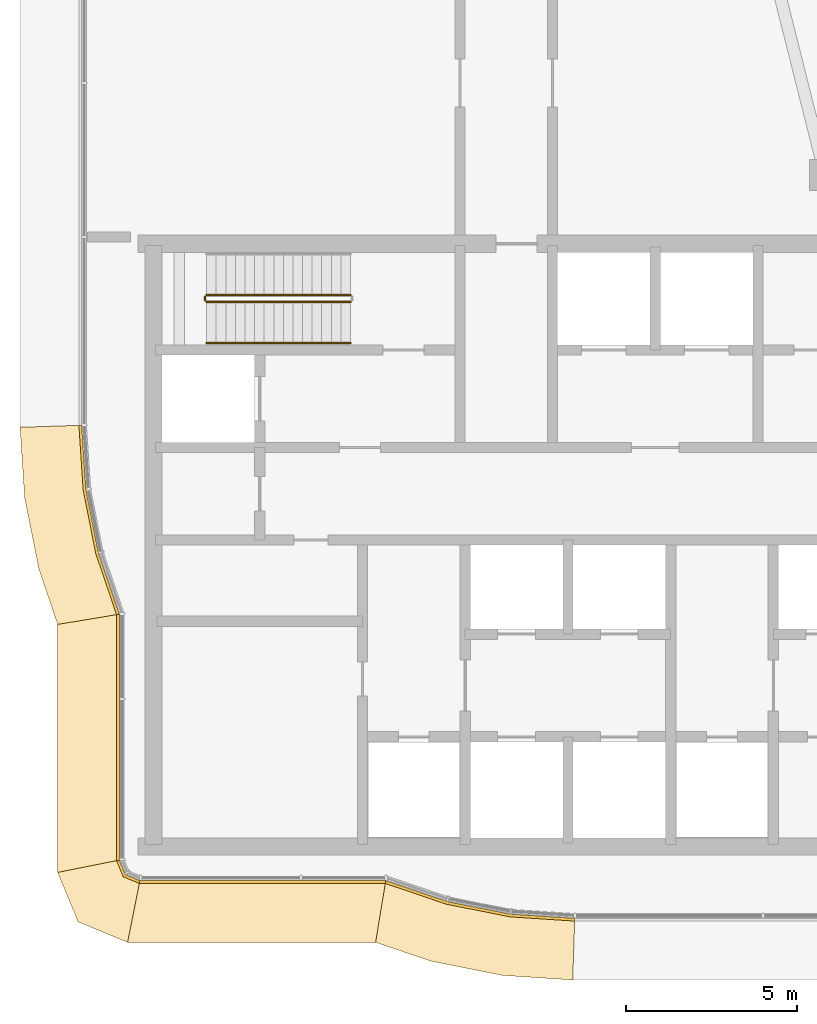
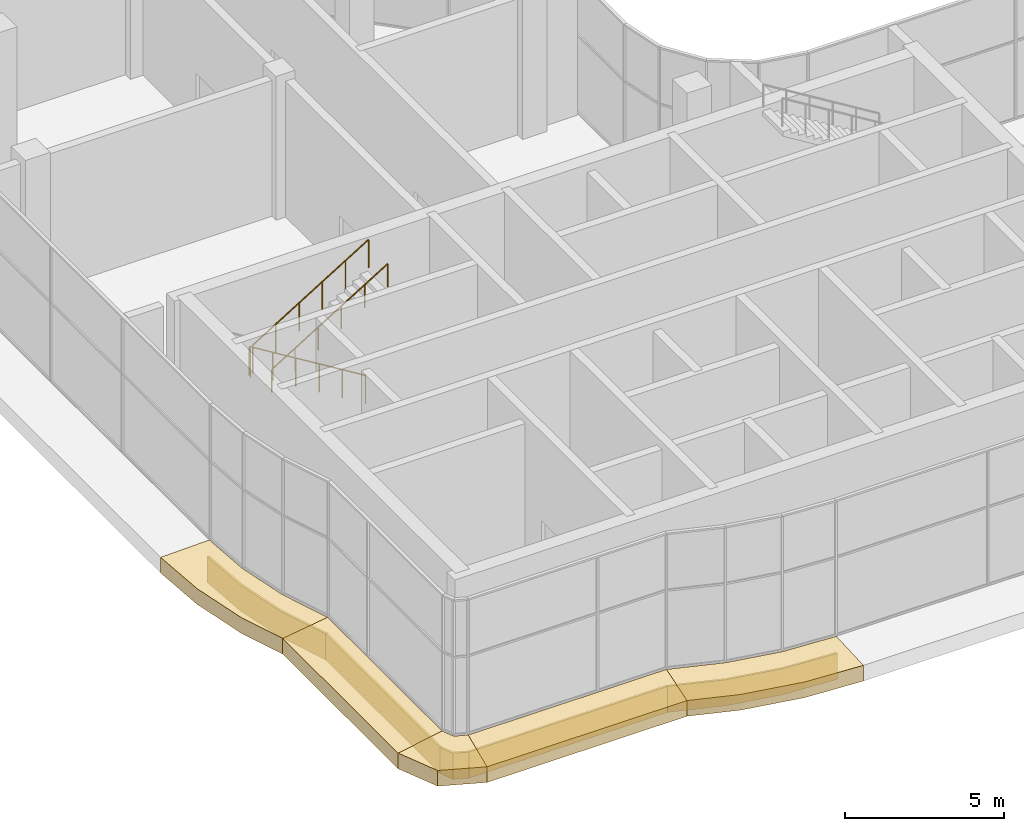
# One storey, part 18 of 23: 10 coverings, 4 railings.
"""IFC4 building model written with IfcOpenShell, lengths in metres."""

from ifc_helpers import new_model, si_unit, direction, frame, origin, origin_2d, place, context, subcontext, project, spatial, polyline, circle, outline, extrude, material, layer, layer_set, type_object, element, save


model = new_model("IFC4")

# Units and contexts
model_context = context("Model", 3, precision=1e-05, world=origin(), true_north=direction((0.0, 1.0)))
body_context = subcontext(model_context, "Body", "Model", "MODEL_VIEW")
ifc_project = project(units=[si_unit("LENGTHUNIT", "METRE"), si_unit("AREAUNIT", "SQUARE_METRE"), si_unit("VOLUMEUNIT", "CUBIC_METRE"), si_unit("PLANEANGLEUNIT", "RADIAN"), si_unit("MASSUNIT", "GRAM", prefix="KILO")], contexts=[model_context])

# Site, building, storey
site_placement = place(None, origin())
site = spatial("IfcSite", under=ifc_project, at=site_placement, CompositionType="ELEMENT")
building_placement = place(site_placement, origin())
building = spatial("IfcBuilding", under=site, at=building_placement, Name="Ogive Portal Towers", CompositionType="ELEMENT")
storey_placement = place(building_placement, frame((0.0, 0.0, 249.39990234375)))
storey = spatial("IfcBuildingStorey", under=building, at=storey_placement, Name="L62", CompositionType="ELEMENT", Elevation=249.39990234375)

# Railings
ifc_material_1 = material(Name="Stainless steel balustrade", Category="steel")
railing_type_1 = type_object("IfcRailingType", Name="INT-GUARD", PredefinedType="GUARDRAIL", material=ifc_material_1)
railing_1_placement = place(storey_placement, frame((37.449951171875, 37.800048828125, 0.171875)))
element("IfcRailing", 1, at=railing_1_placement, inside=storey, type_object=railing_type_1, Name="L62 ST-A1 stair guard 1", PredefinedType="GUARDRAIL", context=body_context, shape_type="SweptSolid", body=[
    extrude(circle(Radius=0.02392578125, at=origin_2d()), frame((0.0, 0.0, 1.076171875), z_axis=(-0.852242915053, 0.0, 0.523146264196), x_axis=(0.0, -1.0, 0.0)), (0.0, 0.0, 1.0), 4.92822265625),
    extrude(circle(Radius=0.02099609375, at=origin_2d()), origin(), (0.0, 0.0, 1.0), 1.052001953125),
    extrude(circle(Radius=0.02099609375, at=origin_2d()), frame((-0.840087890625, 0.0, 0.515625)), (0.0, 0.0, 1.0), 1.052001953125),
    extrude(circle(Radius=0.02099609375, at=origin_2d()), frame((-1.679931640625, 0.0, 1.03125)), (0.0, 0.0, 1.0), 1.052001953125),
    extrude(circle(Radius=0.02099609375, at=origin_2d()), frame((-2.52001953125, 0.0, 1.546875)), (0.0, 0.0, 1.0), 1.052001953125),
    extrude(circle(Radius=0.02099609375, at=origin_2d()), frame((-3.35986328125, 0.0, 2.0625)), (0.0, 0.0, 1.0), 1.052001953125),
    extrude(circle(Radius=0.02099609375, at=origin_2d()), frame((-4.199951171875, 0.0, 2.578125)), (0.0, 0.0, 1.0), 1.052001953125),
])
railing_2_placement = place(storey_placement, frame((33.199951171875, 37.75, 2.75)))
element("IfcRailing", 2, at=railing_2_placement, inside=storey, type_object=railing_type_1, Name="L62 ST-A1 stair guard 2", PredefinedType="GUARDRAIL", context=body_context, shape_type="SweptSolid", body=[
    extrude(circle(Radius=0.02392578125, at=origin_2d()), frame((0.0, 0.0, 1.076171875), z_axis=(0.0, -1.0, 0.0), x_axis=(1.0, 0.0, 0.0)), (0.0, 0.0, 1.0), 0.10009765625),
    extrude(circle(Radius=0.02099609375, at=origin_2d()), origin(), (0.0, 0.0, 1.0), 1.052001953125),
    extrude(circle(Radius=0.02099609375, at=origin_2d()), frame((0.0, -0.10009765625, 0.0)), (0.0, 0.0, 1.0), 1.052001953125),
])
railing_3_placement = place(storey_placement, frame((33.25, 37.60009765625, 2.921875)))
element("IfcRailing", 3, at=railing_3_placement, inside=storey, type_object=railing_type_1, Name="L62 ST-A1 stair guard 3", PredefinedType="GUARDRAIL", context=body_context, shape_type="SweptSolid", body=[
    extrude(circle(Radius=0.02392578125, at=origin_2d()), frame((0.0, 0.0, 1.076171875), z_axis=(0.852242915053, 0.0, 0.523146264196), x_axis=(0.0, 1.0, 0.0)), (0.0, 0.0, 1.0), 4.92822265625),
    extrude(circle(Radius=0.02099609375, at=origin_2d()), origin(), (0.0, 0.0, 1.0), 1.052001953125),
    extrude(circle(Radius=0.02099609375, at=origin_2d()), frame((0.840087890625, 0.0, 0.515625)), (0.0, 0.0, 1.0), 1.052001953125),
    extrude(circle(Radius=0.02099609375, at=origin_2d()), frame((1.679931640625, 0.0, 1.03125)), (0.0, 0.0, 1.0), 1.052001953125),
    extrude(circle(Radius=0.02099609375, at=origin_2d()), frame((2.52001953125, 0.0, 1.546875)), (0.0, 0.0, 1.0), 1.052001953125),
    extrude(circle(Radius=0.02099609375, at=origin_2d()), frame((3.35986328125, 0.0, 2.0625)), (0.0, 0.0, 1.0), 1.052001953125),
    extrude(circle(Radius=0.02099609375, at=origin_2d()), frame((4.199951171875, 0.0, 2.578125)), (0.0, 0.0, 1.0), 1.052001953125),
])
ifc_material_2 = material(Name="Stainless steel handrail", Category="steel")
railing_type_2 = type_object("IfcRailingType", Name="INT-HANDRAIL", PredefinedType="HANDRAIL", material=ifc_material_2)
railing_4_placement = place(storey_placement, frame((33.25, 36.39990234375, 2.921875)))
element("IfcRailing", 4, at=railing_4_placement, inside=storey, type_object=railing_type_2, Name="L62 ST-A1 stair handrail 2", PredefinedType="HANDRAIL", context=body_context, shape_type="SweptSolid", body=[
    extrude(circle(Radius=0.02392578125, at=origin_2d()), frame((0.0, 0.0, 0.8759765625), z_axis=(0.852242915053, 0.0, 0.523146264196), x_axis=(0.0, 1.0, 0.0)), (0.0, 0.0, 1.0), 4.92822265625),
    extrude(circle(Radius=0.02099609375, at=origin_2d()), origin(), (0.0, 0.0, 1.0), 0.851806640625),
    extrude(circle(Radius=0.02099609375, at=origin_2d()), frame((0.840087890625, 0.0, 0.515625)), (0.0, 0.0, 1.0), 0.851806640625),
    extrude(circle(Radius=0.02099609375, at=origin_2d()), frame((1.679931640625, 0.0, 1.03125)), (0.0, 0.0, 1.0), 0.851806640625),
    extrude(circle(Radius=0.02099609375, at=origin_2d()), frame((2.52001953125, 0.0, 1.546875)), (0.0, 0.0, 1.0), 0.851806640625),
    extrude(circle(Radius=0.02099609375, at=origin_2d()), frame((3.35986328125, 0.0, 2.0625)), (0.0, 0.0, 1.0), 0.851806640625),
    extrude(circle(Radius=0.02099609375, at=origin_2d()), frame((4.199951171875, 0.0, 2.578125)), (0.0, 0.0, 1.0), 0.851806640625),
])

# Coverings
ifc_material_3 = material(Name="Limestone cladding on lightweight block wall", Category="masonry")
ifc_layer_1 = layer(ifc_material_3, 0.080078125)
ifc_layer_set_1 = layer_set([ifc_layer_1], Name="STONE SPANDREL 80")
covering_type_1 = type_object("IfcCoveringType", Name="STONE SPANDREL 80", PredefinedType="CLADDING", material=ifc_layer_set_1)
covering_1_placement = place(storey_placement, frame((0.0, 0.0, -1.599853515625)))
element("IfcCovering", 5, at=covering_1_placement, inside=storey, type_object=covering_type_1, Name="Stone spandrel A1-F01", PredefinedType="CLADDING", context=body_context, shape_type="SweptSolid", body=[
    extrude(outline(polyline([(30.699951171875, 28.4814453125), (30.699951171875, 21.300048828125), (30.6201171875, 21.2841796875), (30.6201171875, 28.46826171875), (30.699951171875, 28.4814453125)])), origin(), (0.0, 0.0, 1.0), 1.0),
])
covering_2_placement = place(storey_placement, frame((0.0, 0.0, -1.599853515625)))
element("IfcCovering", 6, at=covering_2_placement, inside=storey, type_object=covering_type_1, Name="Stone spandrel A1-F02", PredefinedType="CLADDING", context=body_context, shape_type="SweptSolid", body=[
    extrude(outline(polyline([(30.699951171875, 21.300048828125), (30.875732421875, 20.875732421875), (31.300048828125, 20.699951171875), (31.2841796875, 20.6201171875), (30.814453125, 20.814453125), (30.6201171875, 21.2841796875), (30.699951171875, 21.300048828125)])), origin(), (0.0, 0.0, 1.0), 1.0),
])
covering_3_placement = place(storey_placement, frame((0.0, 0.0, -1.599853515625)))
element("IfcCovering", 7, at=covering_3_placement, inside=storey, type_object=covering_type_1, Name="Stone spandrel A1-F03", PredefinedType="CLADDING", context=body_context, shape_type="SweptSolid", body=[
    extrude(outline(polyline([(31.300048828125, 20.699951171875), (38.4814453125, 20.699951171875), (38.46826171875, 20.6201171875), (31.2841796875, 20.6201171875), (31.300048828125, 20.699951171875)])), origin(), (0.0, 0.0, 1.0), 1.0),
])
covering_4_placement = place(storey_placement, frame((0.0, 0.0, -1.599853515625)))
element("IfcCovering", 8, at=covering_4_placement, inside=storey, type_object=covering_type_1, Name="Stone spandrel A1-F04", PredefinedType="CLADDING", context=body_context, shape_type="SweptSolid", body=[
    extrude(outline(polyline([(38.4814453125, 20.699951171875), (40.27294921875, 20.090576171875), (42.120361328125, 19.72314453125), (44.0, 19.60009765625), (43.997314453125, 19.52001953125), (42.10986328125, 19.643798828125), (40.252197265625, 20.01318359375), (38.46826171875, 20.6201171875), (38.4814453125, 20.699951171875)])), origin(), (0.0, 0.0, 1.0), 1.0),
])
covering_5_placement = place(storey_placement, frame((0.0, 0.0, -1.599853515625)))
element("IfcCovering", 9, at=covering_5_placement, inside=storey, type_object=covering_type_1, Name="Stone spandrel A1-F14", PredefinedType="CLADDING", context=body_context, shape_type="SweptSolid", body=[
    extrude(outline(polyline([(29.60009765625, 34.0), (29.72314453125, 32.120361328125), (30.090576171875, 30.27294921875), (30.699951171875, 28.4814453125), (30.6201171875, 28.46826171875), (30.01318359375, 30.252197265625), (29.643798828125, 32.10986328125), (29.52001953125, 33.997314453125), (29.60009765625, 34.0)])), origin(), (0.0, 0.0, 1.0), 1.0),
])
ifc_layer_2 = layer(ifc_material_3, 0.60009765625)
ifc_layer_set_2 = layer_set([ifc_layer_2], Name="SUNSHADE LIP 600")
covering_type_2 = type_object("IfcCoveringType", Name="SUNSHADE LIP 600", PredefinedType="CLADDING", material=ifc_layer_set_2)
covering_6_placement = place(storey_placement, frame((0.0, 0.0, -0.599853515625)))
element("IfcCovering", 10, at=covering_6_placement, inside=storey, type_object=covering_type_2, Name="Sunshade lip A1-F01", PredefinedType="CLADDING", context=body_context, shape_type="SweptSolid", body=[
    extrude(outline(polyline([(30.699951171875, 28.4814453125), (30.699951171875, 21.300048828125), (28.89990234375, 20.94189453125), (28.89990234375, 28.183837890625), (30.699951171875, 28.4814453125)])), origin(), (0.0, 0.0, 1.0), 0.599853515625),
])
covering_7_placement = place(storey_placement, frame((0.0, 0.0, -0.599853515625)))
element("IfcCovering", 11, at=covering_7_placement, inside=storey, type_object=covering_type_2, Name="Sunshade lip A1-F02", PredefinedType="CLADDING", context=body_context, shape_type="SweptSolid", body=[
    extrude(outline(polyline([(30.699951171875, 21.300048828125), (30.875732421875, 20.875732421875), (31.300048828125, 20.699951171875), (30.94189453125, 18.89990234375), (29.498046875, 19.498046875), (28.89990234375, 20.94189453125), (30.699951171875, 21.300048828125)])), origin(), (0.0, 0.0, 1.0), 0.599853515625),
])
covering_8_placement = place(storey_placement, frame((0.0, 0.0, -0.599853515625)))
element("IfcCovering", 12, at=covering_8_placement, inside=storey, type_object=covering_type_2, Name="Sunshade lip A1-F03", PredefinedType="CLADDING", context=body_context, shape_type="SweptSolid", body=[
    extrude(outline(polyline([(31.300048828125, 20.699951171875), (38.4814453125, 20.699951171875), (38.183837890625, 18.89990234375), (30.94189453125, 18.89990234375), (31.300048828125, 20.699951171875)])), origin(), (0.0, 0.0, 1.0), 0.599853515625),
])
covering_9_placement = place(storey_placement, frame((0.0, 0.0, -0.599853515625)))
element("IfcCovering", 13, at=covering_9_placement, inside=storey, type_object=covering_type_2, Name="Sunshade lip A1-F04", PredefinedType="CLADDING", context=body_context, shape_type="SweptSolid", body=[
    extrude(outline(polyline([(38.4814453125, 20.699951171875), (40.27294921875, 20.090576171875), (42.120361328125, 19.72314453125), (44.0, 19.60009765625), (43.941162109375, 17.800048828125), (41.885009765625, 17.934814453125), (39.8056640625, 18.348388671875), (38.183837890625, 18.89990234375), (38.4814453125, 20.699951171875)])), origin(), (0.0, 0.0, 1.0), 0.599853515625),
])
covering_10_placement = place(storey_placement, frame((0.0, 0.0, -0.599853515625)))
element("IfcCovering", 14, at=covering_10_placement, inside=storey, type_object=covering_type_2, Name="Sunshade lip A1-F14", PredefinedType="CLADDING", context=body_context, shape_type="SweptSolid", body=[
    extrude(outline(polyline([(29.60009765625, 34.0), (29.72314453125, 32.120361328125), (30.090576171875, 30.27294921875), (30.699951171875, 28.4814453125), (28.89990234375, 28.183837890625), (28.348388671875, 29.8056640625), (27.934814453125, 31.885009765625), (27.800048828125, 33.941162109375), (29.60009765625, 34.0)])), origin(), (0.0, 0.0, 1.0), 0.599853515625),
])

save(model, "model.ifc")
